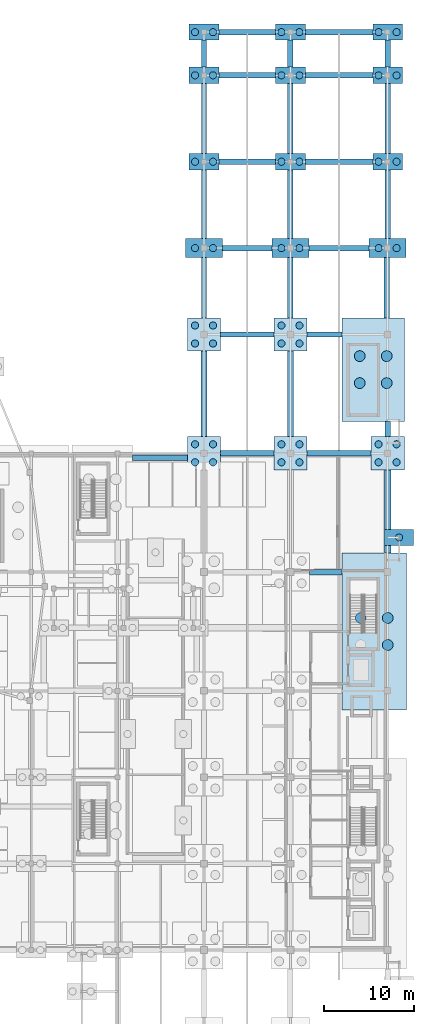
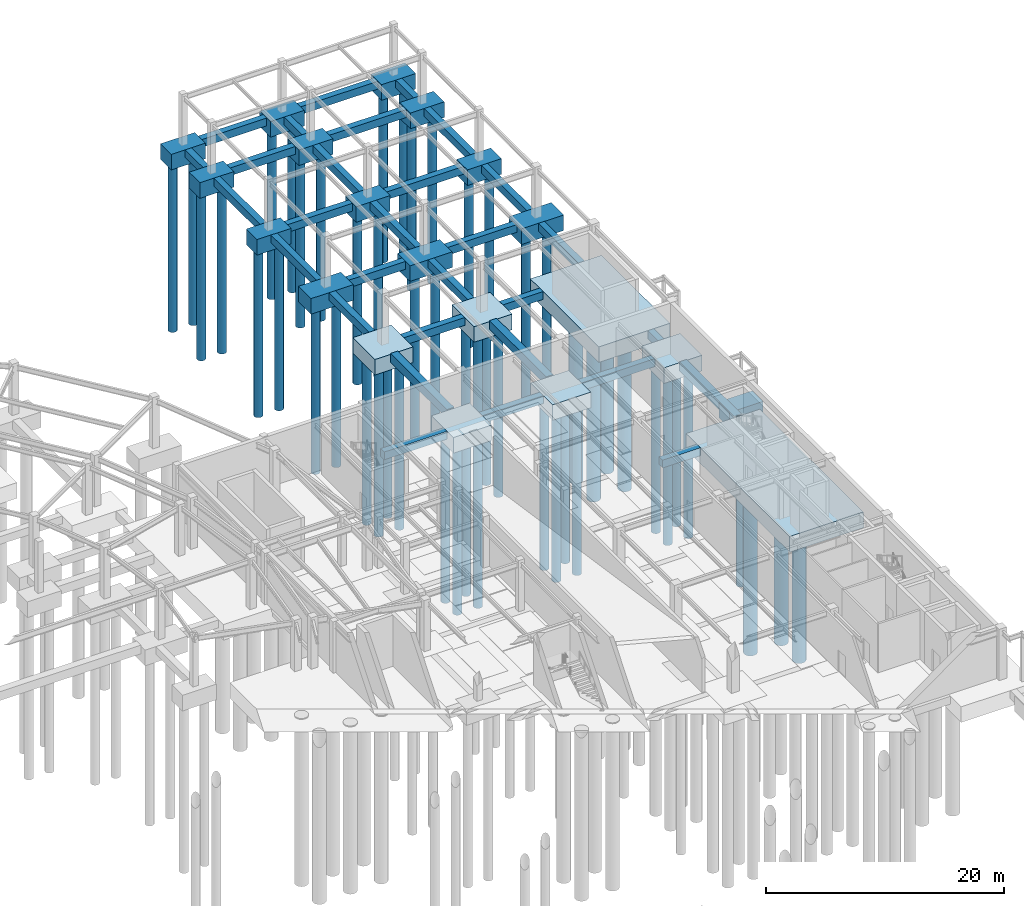
# One storey, part 7 of 55: 52 piles, 50 footings.
"""IFC4 building model written with IfcOpenShell, lengths in metres."""

from ifc_helpers import new_model, si_unit, direction, frame, origin, origin_2d, place, context, subcontext, project, spatial, rectangle, circle, extrude, material, material_profile, profile_set, type_object, element, save


model = new_model("IFC4")

# Units and contexts
model_context = context("Model", 3, precision=1e-05, world=origin(), true_north=direction((0.0, 1.0)))
body_context = subcontext(model_context, "Body", "Model", "MODEL_VIEW")
ifc_project = project(units=[si_unit("LENGTHUNIT", "METRE"), si_unit("AREAUNIT", "SQUARE_METRE"), si_unit("VOLUMEUNIT", "CUBIC_METRE"), si_unit("PLANEANGLEUNIT", "RADIAN"), si_unit("MASSUNIT", "GRAM", prefix="KILO")], contexts=[model_context])

# Site, building, storey
site_placement = place(None, origin())
site = spatial("IfcSite", under=ifc_project, at=site_placement, CompositionType="ELEMENT")
building_placement = place(site_placement, origin())
building = spatial("IfcBuilding", under=site, at=building_placement, Name="Almandine Court Research Institute", CompositionType="ELEMENT")
storey_placement = place(building_placement, frame((0.0, 0.0, -5.25)))
storey = spatial("IfcBuildingStorey", under=building, at=storey_placement, Name="B1", CompositionType="ELEMENT", Elevation=-5.25)

# Footings
ifc_material = material(Name="Concrete C35/45", Category="concrete")
footing_type_1 = type_object("IfcFootingType", Name="Cap-PC-05", PredefinedType="PILE_CAP", material=ifc_material)
for number, where, z_axis, x_axis, name in (
    (1, (153.60009765625, 103.199951171875, -1.60009765625), (0.0, 0.0, 1.0), (1.0, 0.0, 0.0), "Reinforced Concrete Pile Cap 149"),
    (2, (163.199951171875, 103.199951171875, -1.60009765625), (0.0, 0.0, 1.0), (1.0, 0.0, 0.0), "Reinforced Concrete Pile Cap 150"),
    (3, (174.0, 103.199951171875, -1.60009765625), (0.0, 0.0, 1.0), (1.0, 0.0, 0.0), "Reinforced Concrete Pile Cap 151"),
    (4, (153.60009765625, 112.800048828125, -1.60009765625), (0.0, 0.0, 1.0), (1.0, 0.0, 0.0), "Reinforced Concrete Pile Cap 156"),
    (5, (163.199951171875, 112.800048828125, -1.60009765625), (0.0, 0.0, 1.0), (1.0, 0.0, 0.0), "Reinforced Concrete Pile Cap 157"),
    (6, (174.0, 112.800048828125, -1.60009765625), (0.0, 0.0, 1.0), (1.0, 0.0, 0.0), "Reinforced Concrete Pile Cap 158"),
    (7, (153.60009765625, 117.60009765625, -1.60009765625), (0.0, 0.0, 1.0), (1.0, 0.0, 0.0), "Reinforced Concrete Pile Cap 163"),
    (8, (163.199951171875, 117.60009765625, -1.60009765625), (0.0, 0.0, 1.0), (1.0, 0.0, 0.0), "Reinforced Concrete Pile Cap 164"),
    (9, (174.0, 117.60009765625, -1.60009765625), (0.0, 0.0, 1.0), (1.0, 0.0, 0.0), "Reinforced Concrete Pile Cap 165"),
):
    element("IfcFooting", number, at=place(storey_placement, frame(where, z_axis=z_axis, x_axis=x_axis)), inside=storey, type_object=footing_type_1, Name=name, PredefinedType="PILE_CAP", context=body_context, shape_type="SweptSolid", body=[
        extrude(rectangle(XDim=3.300048828125, YDim=1.800048828125, at=origin_2d()), origin(), (0.0, 0.0, 1.0), 1.60009765625),
    ])
footing_type_2 = type_object("IfcFootingType", Name="Cap-PC-18", PredefinedType="PILE_CAP", material=ifc_material)
for number, where, z_axis, x_axis, name in (
    (10, (153.60009765625, 93.60009765625, -1.60009765625), (0.0, 0.0, 1.0), (1.0, 0.0, 0.0), "Reinforced Concrete Pile Cap 134"),
    (11, (163.199951171875, 93.60009765625, -1.60009765625), (0.0, 0.0, 1.0), (1.0, 0.0, 0.0), "Reinforced Concrete Pile Cap 135"),
    (12, (174.0, 93.60009765625, -1.60009765625), (0.0, 0.0, 1.0), (1.0, 0.0, 0.0), "Reinforced Concrete Pile Cap 136"),
):
    element("IfcFooting", number, at=place(storey_placement, frame(where, z_axis=z_axis, x_axis=x_axis)), inside=storey, type_object=footing_type_2, Name=name, PredefinedType="PILE_CAP", context=body_context, shape_type="SweptSolid", body=[
        extrude(rectangle(XDim=4.10009765625, YDim=2.10009765625, at=origin_2d()), origin(), (0.0, 0.0, 1.0), 1.60009765625),
    ])
footing_type_3 = type_object("IfcFootingType", Name="Cap-PC-20", PredefinedType="PILE_CAP", material=ifc_material)
footing_1_placement = place(storey_placement, frame((172.52490234375, 51.0, -1.60009765625), z_axis=(0.0, 0.0, 1.0), x_axis=(1.0, 0.0, 0.0)))
element("IfcFooting", 13, at=footing_1_placement, inside=storey, type_object=footing_type_3, Name="Reinforced Concrete Pile Cap 066", PredefinedType="PILE_CAP", context=body_context, shape_type="SweptSolid", body=[
    extrude(rectangle(XDim=7.14990234375, YDim=17.39990234375, at=origin_2d()), origin(), (0.0, 0.0, 1.0), 1.60009765625),
])
footing_type_4 = type_object("IfcFootingType", Name="Cap-PC-28", PredefinedType="PILE_CAP", material=ifc_material)
for number, where, z_axis, x_axis, name in (
    (14, (153.60009765625, 70.800048828125, -1.60009765625), (0.0, 0.0, 1.0), (1.0, 0.0, 0.0), "Reinforced Concrete Pile Cap 096"),
    (15, (163.199951171875, 70.800048828125, -1.60009765625), (0.0, 0.0, 1.0), (1.0, 0.0, 0.0), "Reinforced Concrete Pile Cap 097"),
    (16, (174.0, 70.800048828125, -1.60009765625), (0.0, 0.0, 1.0), (1.0, 0.0, 0.0), "Reinforced Concrete Pile Cap 098"),
    (17, (153.60009765625, 84.0, -1.60009765625), (0.0, 0.0, 1.0), (1.0, 0.0, 0.0), "Reinforced Concrete Pile Cap 114"),
    (18, (163.199951171875, 84.0, -1.60009765625), (0.0, 0.0, 1.0), (1.0, 0.0, 0.0), "Reinforced Concrete Pile Cap 115"),
):
    element("IfcFooting", number, at=place(storey_placement, frame(where, z_axis=z_axis, x_axis=x_axis)), inside=storey, type_object=footing_type_4, Name=name, PredefinedType="PILE_CAP", context=body_context, shape_type="SweptSolid", body=[
        extrude(rectangle(XDim=3.699951171875, YDim=3.699951171875, at=origin_2d()), origin(), (0.0, 0.0, 1.0), 1.60009765625),
    ])
footing_type_5 = type_object("IfcFootingType", Name="Cap-PC-31", PredefinedType="PILE_CAP", material=ifc_material)
footing_2_placement = place(storey_placement, frame((172.39990234375, 80.10009765625, -1.60009765625), z_axis=(0.0, 0.0, 1.0), x_axis=(1.0, 0.0, 0.0)))
element("IfcFooting", 19, at=footing_2_placement, inside=storey, type_object=footing_type_5, Name="Reinforced Concrete Pile Cap 103", PredefinedType="PILE_CAP", context=body_context, shape_type="SweptSolid", body=[
    extrude(rectangle(XDim=6.89990234375, YDim=11.5, at=origin_2d()), origin(), (0.0, 0.0, 1.0), 1.60009765625),
])
footing_type_6 = type_object("IfcFootingType", Name="Cap-PC-S02", PredefinedType="PILE_CAP", material=ifc_material)
footing_3_placement = place(storey_placement, frame((175.27490234375, 61.449951171875, -1.60009765625), z_axis=(0.0, 0.0, 1.0), x_axis=(1.0, 0.0, 0.0)))
element("IfcFooting", 20, at=footing_3_placement, inside=storey, type_object=footing_type_6, Name="Supplemental Threshold Pile Cap 008", PredefinedType="PILE_CAP", context=body_context, shape_type="SweptSolid", body=[
    extrude(rectangle(XDim=3.25, YDim=1.800048828125, at=origin_2d()), origin(), (0.0, 0.0, 1.0), 1.60009765625),
])

# Piles
ifc_material_profile_1 = material_profile(ifc_material, circle(Radius=0.60009765625, at=origin_2d()), Name="BORED PILE D1200")
ifc_profile_set_1 = profile_set([ifc_material_profile_1], Name="Concrete C35/45")
pile_type_1 = type_object("IfcPileType", Name="Pile-BP-1200", PredefinedType="BORED", material=ifc_profile_set_1)
for number, where, z_axis, x_axis, name in (
    (21, (171.02490234375, 52.5, -1.5), (0.0, 0.0, -1.0), (1.0, 0.0, 0.0), "Bored Pile 066-2"),
    (22, (174.02490234375, 49.5, -1.5), (0.0, 0.0, -1.0), (1.0, 0.0, 0.0), "Bored Pile 066-3"),
    (23, (174.02490234375, 52.5, -1.5), (0.0, 0.0, -1.0), (1.0, 0.0, 0.0), "Bored Pile 066-4"),
    (24, (170.89990234375, 78.60009765625, -1.5), (0.0, 0.0, -1.0), (1.0, 0.0, 0.0), "Bored Pile 103-1"),
    (25, (170.89990234375, 81.60009765625, -1.5), (0.0, 0.0, -1.0), (1.0, 0.0, 0.0), "Bored Pile 103-2"),
    (26, (173.89990234375, 78.60009765625, -1.5), (0.0, 0.0, -1.0), (1.0, 0.0, 0.0), "Bored Pile 103-3"),
    (27, (173.89990234375, 81.60009765625, -1.5), (0.0, 0.0, -1.0), (1.0, 0.0, 0.0), "Bored Pile 103-4"),
):
    element("IfcPile", number, at=place(storey_placement, frame(where, z_axis=z_axis, x_axis=x_axis)), inside=storey, type_object=pile_type_1, Name=name, PredefinedType="BORED", context=body_context, shape_type="SweptSolid", body=[
        extrude(circle(Radius=0.60009765625, at=origin_2d()), origin(), (0.0, 0.0, 1.0), 17.25),
    ])
ifc_material_profile_2 = material_profile(ifc_material, circle(Radius=0.39990234375, at=origin_2d()), Name="BORED PILE D800")
ifc_profile_set_2 = profile_set([ifc_material_profile_2], Name="Concrete C35/45")
pile_type_2 = type_object("IfcPileType", Name="Pile-BP-800", PredefinedType="BORED", material=ifc_profile_set_2)
for number, where, z_axis, x_axis, name in (
    (28, (152.60009765625, 69.800048828125, -1.5), (0.0, 0.0, -1.0), (1.0, 0.0, 0.0), "Bored Pile 096-1"),
    (29, (152.60009765625, 71.800048828125, -1.5), (0.0, 0.0, -1.0), (1.0, 0.0, 0.0), "Bored Pile 096-2"),
    (30, (154.60009765625, 69.800048828125, -1.5), (0.0, 0.0, -1.0), (1.0, 0.0, 0.0), "Bored Pile 096-3"),
    (31, (154.60009765625, 71.800048828125, -1.5), (0.0, 0.0, -1.0), (1.0, 0.0, 0.0), "Bored Pile 096-4"),
    (32, (162.199951171875, 69.800048828125, -1.5), (0.0, 0.0, -1.0), (1.0, 0.0, 0.0), "Bored Pile 097-1"),
    (33, (162.199951171875, 71.800048828125, -1.5), (0.0, 0.0, -1.0), (1.0, 0.0, 0.0), "Bored Pile 097-2"),
    (34, (164.199951171875, 69.800048828125, -1.5), (0.0, 0.0, -1.0), (1.0, 0.0, 0.0), "Bored Pile 097-3"),
    (35, (164.199951171875, 71.800048828125, -1.5), (0.0, 0.0, -1.0), (1.0, 0.0, 0.0), "Bored Pile 097-4"),
    (36, (173.0, 69.800048828125, -1.5), (0.0, 0.0, -1.0), (1.0, 0.0, 0.0), "Bored Pile 098-1"),
    (37, (173.0, 71.800048828125, -1.5), (0.0, 0.0, -1.0), (1.0, 0.0, 0.0), "Bored Pile 098-2"),
    (38, (175.0, 69.800048828125, -1.5), (0.0, 0.0, -1.0), (1.0, 0.0, 0.0), "Bored Pile 098-3"),
    (39, (175.0, 71.800048828125, -1.5), (0.0, 0.0, -1.0), (1.0, 0.0, 0.0), "Bored Pile 098-4"),
    (40, (152.60009765625, 83.0, -1.5), (0.0, 0.0, -1.0), (1.0, 0.0, 0.0), "Bored Pile 114-1"),
    (41, (152.60009765625, 85.0, -1.5), (0.0, 0.0, -1.0), (1.0, 0.0, 0.0), "Bored Pile 114-2"),
    (42, (154.60009765625, 83.0, -1.5), (0.0, 0.0, -1.0), (1.0, 0.0, 0.0), "Bored Pile 114-3"),
    (43, (154.60009765625, 85.0, -1.5), (0.0, 0.0, -1.0), (1.0, 0.0, 0.0), "Bored Pile 114-4"),
    (44, (162.199951171875, 83.0, -1.5), (0.0, 0.0, -1.0), (1.0, 0.0, 0.0), "Bored Pile 115-1"),
    (45, (162.199951171875, 85.0, -1.5), (0.0, 0.0, -1.0), (1.0, 0.0, 0.0), "Bored Pile 115-2"),
    (46, (164.199951171875, 83.0, -1.5), (0.0, 0.0, -1.0), (1.0, 0.0, 0.0), "Bored Pile 115-3"),
    (47, (164.199951171875, 85.0, -1.5), (0.0, 0.0, -1.0), (1.0, 0.0, 0.0), "Bored Pile 115-4"),
    (48, (152.60009765625, 93.60009765625, -1.5), (0.0, 0.0, -1.0), (1.0, 0.0, 0.0), "Bored Pile 134-1"),
    (49, (154.60009765625, 93.60009765625, -1.5), (0.0, 0.0, -1.0), (1.0, 0.0, 0.0), "Bored Pile 134-2"),
    (50, (162.199951171875, 93.60009765625, -1.5), (0.0, 0.0, -1.0), (1.0, 0.0, 0.0), "Bored Pile 135-1"),
    (51, (164.199951171875, 93.60009765625, -1.5), (0.0, 0.0, -1.0), (1.0, 0.0, 0.0), "Bored Pile 135-2"),
    (52, (173.0, 93.60009765625, -1.5), (0.0, 0.0, -1.0), (1.0, 0.0, 0.0), "Bored Pile 136-1"),
    (53, (175.0, 93.60009765625, -1.5), (0.0, 0.0, -1.0), (1.0, 0.0, 0.0), "Bored Pile 136-2"),
    (54, (152.60009765625, 103.199951171875, -1.5), (0.0, 0.0, -1.0), (1.0, 0.0, 0.0), "Bored Pile 149-1"),
    (55, (154.60009765625, 103.199951171875, -1.5), (0.0, 0.0, -1.0), (1.0, 0.0, 0.0), "Bored Pile 149-2"),
    (56, (162.199951171875, 103.199951171875, -1.5), (0.0, 0.0, -1.0), (1.0, 0.0, 0.0), "Bored Pile 150-1"),
    (57, (164.199951171875, 103.199951171875, -1.5), (0.0, 0.0, -1.0), (1.0, 0.0, 0.0), "Bored Pile 150-2"),
    (58, (173.0, 103.199951171875, -1.5), (0.0, 0.0, -1.0), (1.0, 0.0, 0.0), "Bored Pile 151-1"),
    (59, (175.0, 103.199951171875, -1.5), (0.0, 0.0, -1.0), (1.0, 0.0, 0.0), "Bored Pile 151-2"),
    (60, (152.60009765625, 112.800048828125, -1.5), (0.0, 0.0, -1.0), (1.0, 0.0, 0.0), "Bored Pile 156-1"),
    (61, (154.60009765625, 112.800048828125, -1.5), (0.0, 0.0, -1.0), (1.0, 0.0, 0.0), "Bored Pile 156-2"),
    (62, (162.199951171875, 112.800048828125, -1.5), (0.0, 0.0, -1.0), (1.0, 0.0, 0.0), "Bored Pile 157-1"),
    (63, (164.199951171875, 112.800048828125, -1.5), (0.0, 0.0, -1.0), (1.0, 0.0, 0.0), "Bored Pile 157-2"),
    (64, (173.0, 112.800048828125, -1.5), (0.0, 0.0, -1.0), (1.0, 0.0, 0.0), "Bored Pile 158-1"),
    (65, (175.0, 112.800048828125, -1.5), (0.0, 0.0, -1.0), (1.0, 0.0, 0.0), "Bored Pile 158-2"),
    (66, (152.60009765625, 117.60009765625, -1.5), (0.0, 0.0, -1.0), (1.0, 0.0, 0.0), "Bored Pile 163-1"),
    (67, (154.60009765625, 117.60009765625, -1.5), (0.0, 0.0, -1.0), (1.0, 0.0, 0.0), "Bored Pile 163-2"),
    (68, (162.199951171875, 117.60009765625, -1.5), (0.0, 0.0, -1.0), (1.0, 0.0, 0.0), "Bored Pile 164-1"),
    (69, (164.199951171875, 117.60009765625, -1.5), (0.0, 0.0, -1.0), (1.0, 0.0, 0.0), "Bored Pile 164-2"),
    (70, (173.0, 117.60009765625, -1.5), (0.0, 0.0, -1.0), (1.0, 0.0, 0.0), "Bored Pile 165-1"),
    (71, (175.0, 117.60009765625, -1.5), (0.0, 0.0, -1.0), (1.0, 0.0, 0.0), "Bored Pile 165-2"),
    (72, (175.27490234375, 61.449951171875, -1.5), (0.0, 0.0, -1.0), (1.0, 0.0, 0.0), "Supplemental Bored Pile 008-1"),
):
    element("IfcPile", number, at=place(storey_placement, frame(where, z_axis=z_axis, x_axis=x_axis)), inside=storey, type_object=pile_type_2, Name=name, PredefinedType="BORED", context=body_context, shape_type="SweptSolid", body=[
        extrude(circle(Radius=0.39990234375, at=origin_2d()), origin(), (0.0, 0.0, 1.0), 17.25),
    ])

# Footings
ifc_material_profile_3 = material_profile(ifc_material, rectangle(XDim=0.60009765625, YDim=0.800048828125, at=origin_2d()), Name="RC TIE 600x800")
ifc_profile_set_3 = profile_set([ifc_material_profile_3], Name="Concrete C35/45")
footing_type_7 = type_object("IfcFootingType", Name="TieBeam-TB1", PredefinedType="FOOTING_BEAM", material=ifc_profile_set_3)
footing_4_placement = place(storey_placement, frame((145.64990234375, 70.324951171875, -0.39990234375), z_axis=(1.0, 0.0, 0.0), x_axis=(0.0, 1.0, 0.0)))
element("IfcFooting", 73, at=footing_4_placement, inside=storey, type_object=footing_type_7, Name="Seismic Foundation Tie Beam 075", PredefinedType="FOOTING_BEAM", context=body_context, shape_type="SweptSolid", body=[
    extrude(rectangle(XDim=0.60009765625, YDim=0.800048828125, at=origin_2d()), origin(), (0.0, 0.0, 1.0), 6.10009765625),
])
for number, where, z_axis, x_axis, name in (
    (74, (155.449951171875, 70.800048828125, -0.39990234375), (1.0, 0.0, 0.0), (0.0, 1.0, 0.0), "Seismic Foundation Tie Beam 088"),
    (75, (155.449951171875, 84.0, -0.39990234375), (1.0, 0.0, 0.0), (0.0, 1.0, 0.0), "Seismic Foundation Tie Beam 089"),
):
    element("IfcFooting", number, at=place(storey_placement, frame(where, z_axis=z_axis, x_axis=x_axis)), inside=storey, type_object=footing_type_7, Name=name, PredefinedType="FOOTING_BEAM", context=body_context, shape_type="SweptSolid", body=[
        extrude(rectangle(XDim=0.60009765625, YDim=0.800048828125, at=origin_2d()), origin(), (0.0, 0.0, 1.0), 5.900146484375),
    ])
footing_5_placement = place(storey_placement, frame((155.64990234375, 93.60009765625, -0.39990234375), z_axis=(1.0, 0.0, 0.0), x_axis=(0.0, 1.0, 0.0)))
element("IfcFooting", 76, at=footing_5_placement, inside=storey, type_object=footing_type_7, Name="Seismic Foundation Tie Beam 090", PredefinedType="FOOTING_BEAM", context=body_context, shape_type="SweptSolid", body=[
    extrude(rectangle(XDim=0.60009765625, YDim=0.800048828125, at=origin_2d()), origin(), (0.0, 0.0, 1.0), 5.5),
])
for number, where, z_axis, x_axis, name in (
    (77, (155.25, 103.199951171875, -0.39990234375), (1.0, 0.0, 0.0), (0.0, 1.0, 0.0), "Seismic Foundation Tie Beam 091"),
    (78, (155.25, 112.800048828125, -0.39990234375), (1.0, 0.0, 0.0), (0.0, 1.0, 0.0), "Seismic Foundation Tie Beam 092"),
    (79, (155.25, 117.60009765625, -0.39990234375), (1.0, 0.0, 0.0), (0.0, 1.0, 0.0), "Seismic Foundation Tie Beam 093"),
):
    element("IfcFooting", number, at=place(storey_placement, frame(where, z_axis=z_axis, x_axis=x_axis)), inside=storey, type_object=footing_type_7, Name=name, PredefinedType="FOOTING_BEAM", context=body_context, shape_type="SweptSolid", body=[
        extrude(rectangle(XDim=0.60009765625, YDim=0.800048828125, at=origin_2d()), origin(), (0.0, 0.0, 1.0), 6.300048828125),
    ])
footing_6_placement = place(storey_placement, frame((165.300048828125, 57.60009765625, -0.39990234375), z_axis=(1.0, 0.0, 0.0), x_axis=(0.0, 1.0, 0.0)))
element("IfcFooting", 80, at=footing_6_placement, inside=storey, type_object=footing_type_7, Name="Seismic Foundation Tie Beam 099", PredefinedType="FOOTING_BEAM", context=body_context, shape_type="SweptSolid", body=[
    extrude(rectangle(XDim=0.60009765625, YDim=0.800048828125, at=origin_2d()), origin(), (0.0, 0.0, 1.0), 3.64990234375),
])
footing_7_placement = place(storey_placement, frame((165.050048828125, 70.800048828125, -0.39990234375), z_axis=(1.0, 0.0, 0.0), x_axis=(0.0, 1.0, 0.0)))
element("IfcFooting", 81, at=footing_7_placement, inside=storey, type_object=footing_type_7, Name="Seismic Foundation Tie Beam 100", PredefinedType="FOOTING_BEAM", context=body_context, shape_type="SweptSolid", body=[
    extrude(rectangle(XDim=0.60009765625, YDim=0.800048828125, at=origin_2d()), origin(), (0.0, 0.0, 1.0), 7.099853515625),
])
footing_8_placement = place(storey_placement, frame((165.050048828125, 84.0, -0.39990234375), z_axis=(1.0, 0.0, 0.0), x_axis=(0.0, 1.0, 0.0)))
element("IfcFooting", 82, at=footing_8_placement, inside=storey, type_object=footing_type_7, Name="Seismic Foundation Tie Beam 101", PredefinedType="FOOTING_BEAM", context=body_context, shape_type="SweptSolid", body=[
    extrude(rectangle(XDim=0.60009765625, YDim=0.800048828125, at=origin_2d()), origin(), (0.0, 0.0, 1.0), 3.89990234375),
])
footing_9_placement = place(storey_placement, frame((165.25, 93.60009765625, -0.39990234375), z_axis=(1.0, 0.0, 0.0), x_axis=(0.0, 1.0, 0.0)))
element("IfcFooting", 83, at=footing_9_placement, inside=storey, type_object=footing_type_7, Name="Seismic Foundation Tie Beam 102", PredefinedType="FOOTING_BEAM", context=body_context, shape_type="SweptSolid", body=[
    extrude(rectangle(XDim=0.60009765625, YDim=0.800048828125, at=origin_2d()), origin(), (0.0, 0.0, 1.0), 6.699951171875),
])
for number, where, z_axis, x_axis, name in (
    (84, (164.85009765625, 103.199951171875, -0.39990234375), (1.0, 0.0, 0.0), (0.0, 1.0, 0.0), "Seismic Foundation Tie Beam 103"),
    (85, (164.85009765625, 112.800048828125, -0.39990234375), (1.0, 0.0, 0.0), (0.0, 1.0, 0.0), "Seismic Foundation Tie Beam 104"),
    (86, (164.85009765625, 117.60009765625, -0.39990234375), (1.0, 0.0, 0.0), (0.0, 1.0, 0.0), "Seismic Foundation Tie Beam 105"),
):
    element("IfcFooting", number, at=place(storey_placement, frame(where, z_axis=z_axis, x_axis=x_axis)), inside=storey, type_object=footing_type_7, Name=name, PredefinedType="FOOTING_BEAM", context=body_context, shape_type="SweptSolid", body=[
        extrude(rectangle(XDim=0.60009765625, YDim=0.800048828125, at=origin_2d()), origin(), (0.0, 0.0, 1.0), 7.5),
    ])
footing_10_placement = place(storey_placement, frame((174.0, 72.64990234375, -0.39990234375), z_axis=(0.0, 1.0, 0.0), x_axis=(-1.0, 0.0, 0.0)))
element("IfcFooting", 87, at=footing_10_placement, inside=storey, type_object=footing_type_7, Name="Seismic Foundation Tie Beam 169", PredefinedType="FOOTING_BEAM", context=body_context, shape_type="SweptSolid", body=[
    extrude(rectangle(XDim=0.60009765625, YDim=0.800048828125, at=origin_2d()), origin(), (0.0, 0.0, 1.0), 1.7001953125),
])
for number, where, z_axis, x_axis, name in (
    (88, (173.89990234375, 85.85009765625, -0.39990234375), (0.0, 1.0, 0.0), (-1.0, 0.0, 0.0), "Seismic Foundation Tie Beam 174"),
    (89, (153.60009765625, 85.85009765625, -0.39990234375), (0.0, 1.0, 0.0), (-1.0, 0.0, 0.0), "Seismic Foundation Tie Beam 177"),
    (90, (163.199951171875, 85.85009765625, -0.39990234375), (0.0, 1.0, 0.0), (-1.0, 0.0, 0.0), "Seismic Foundation Tie Beam 178"),
):
    element("IfcFooting", number, at=place(storey_placement, frame(where, z_axis=z_axis, x_axis=x_axis)), inside=storey, type_object=footing_type_7, Name=name, PredefinedType="FOOTING_BEAM", context=body_context, shape_type="SweptSolid", body=[
        extrude(rectangle(XDim=0.60009765625, YDim=0.800048828125, at=origin_2d()), origin(), (0.0, 0.0, 1.0), 6.699951171875),
    ])
for number, where, z_axis, x_axis, name in (
    (91, (153.60009765625, 94.64990234375, -0.39990234375), (0.0, 1.0, 0.0), (-1.0, 0.0, 0.0), "Seismic Foundation Tie Beam 191"),
    (92, (163.199951171875, 94.64990234375, -0.39990234375), (0.0, 1.0, 0.0), (-1.0, 0.0, 0.0), "Seismic Foundation Tie Beam 192"),
    (93, (174.0, 94.64990234375, -0.39990234375), (0.0, 1.0, 0.0), (-1.0, 0.0, 0.0), "Seismic Foundation Tie Beam 193"),
):
    element("IfcFooting", number, at=place(storey_placement, frame(where, z_axis=z_axis, x_axis=x_axis)), inside=storey, type_object=footing_type_7, Name=name, PredefinedType="FOOTING_BEAM", context=body_context, shape_type="SweptSolid", body=[
        extrude(rectangle(XDim=0.60009765625, YDim=0.800048828125, at=origin_2d()), origin(), (0.0, 0.0, 1.0), 7.650146484375),
    ])
for number, where, z_axis, x_axis, name in (
    (94, (153.60009765625, 104.10009765625, -0.39990234375), (0.0, 1.0, 0.0), (-1.0, 0.0, 0.0), "Seismic Foundation Tie Beam 202"),
    (95, (163.199951171875, 104.10009765625, -0.39990234375), (0.0, 1.0, 0.0), (-1.0, 0.0, 0.0), "Seismic Foundation Tie Beam 203"),
    (96, (174.0, 104.10009765625, -0.39990234375), (0.0, 1.0, 0.0), (-1.0, 0.0, 0.0), "Seismic Foundation Tie Beam 204"),
):
    element("IfcFooting", number, at=place(storey_placement, frame(where, z_axis=z_axis, x_axis=x_axis)), inside=storey, type_object=footing_type_7, Name=name, PredefinedType="FOOTING_BEAM", context=body_context, shape_type="SweptSolid", body=[
        extrude(rectangle(XDim=0.60009765625, YDim=0.800048828125, at=origin_2d()), origin(), (0.0, 0.0, 1.0), 7.7998046875),
    ])
for number, where, z_axis, x_axis, name in (
    (97, (153.60009765625, 113.699951171875, -0.39990234375), (0.0, 1.0, 0.0), (-1.0, 0.0, 0.0), "Seismic Foundation Tie Beam 207"),
    (98, (163.199951171875, 113.699951171875, -0.39990234375), (0.0, 1.0, 0.0), (-1.0, 0.0, 0.0), "Seismic Foundation Tie Beam 208"),
    (99, (174.0, 113.699951171875, -0.39990234375), (0.0, 1.0, 0.0), (-1.0, 0.0, 0.0), "Seismic Foundation Tie Beam 209"),
):
    element("IfcFooting", number, at=place(storey_placement, frame(where, z_axis=z_axis, x_axis=x_axis)), inside=storey, type_object=footing_type_7, Name=name, PredefinedType="FOOTING_BEAM", context=body_context, shape_type="SweptSolid", body=[
        extrude(rectangle(XDim=0.60009765625, YDim=0.800048828125, at=origin_2d()), origin(), (0.0, 0.0, 1.0), 3.0),
    ])
ifc_material_profile_4 = material_profile(ifc_material, rectangle(XDim=0.699951171875, YDim=0.89990234375, at=origin_2d()), Name="RC TIE 700x900")
ifc_profile_set_4 = profile_set([ifc_material_profile_4], Name="Concrete C35/45")
footing_type_8 = type_object("IfcFootingType", Name="TieBeam-TB2", PredefinedType="FOOTING_BEAM", material=ifc_profile_set_4)
footing_11_placement = place(storey_placement, frame((174.0, 59.699951171875, -0.35009765625), z_axis=(0.0, 1.0, 0.0), x_axis=(-1.0, 0.0, 0.0)))
element("IfcFooting", 100, at=footing_11_placement, inside=storey, type_object=footing_type_8, Name="Seismic Foundation Tie Beam 152", PredefinedType="FOOTING_BEAM", context=body_context, shape_type="SweptSolid", body=[
    extrude(rectangle(XDim=0.699951171875, YDim=0.89990234375, at=origin_2d()), origin(), (0.0, 0.0, 1.0), 9.25),
])
for number, where, z_axis, x_axis, name in (
    (101, (153.60009765625, 72.64990234375, -0.35009765625), (0.0, 1.0, 0.0), (-1.0, 0.0, 0.0), "Seismic Foundation Tie Beam 167"),
    (102, (163.199951171875, 72.64990234375, -0.35009765625), (0.0, 1.0, 0.0), (-1.0, 0.0, 0.0), "Seismic Foundation Tie Beam 168"),
):
    element("IfcFooting", number, at=place(storey_placement, frame(where, z_axis=z_axis, x_axis=x_axis)), inside=storey, type_object=footing_type_8, Name=name, PredefinedType="FOOTING_BEAM", context=body_context, shape_type="SweptSolid", body=[
        extrude(rectangle(XDim=0.699951171875, YDim=0.89990234375, at=origin_2d()), origin(), (0.0, 0.0, 1.0), 9.5),
    ])

save(model, "model.ifc")
